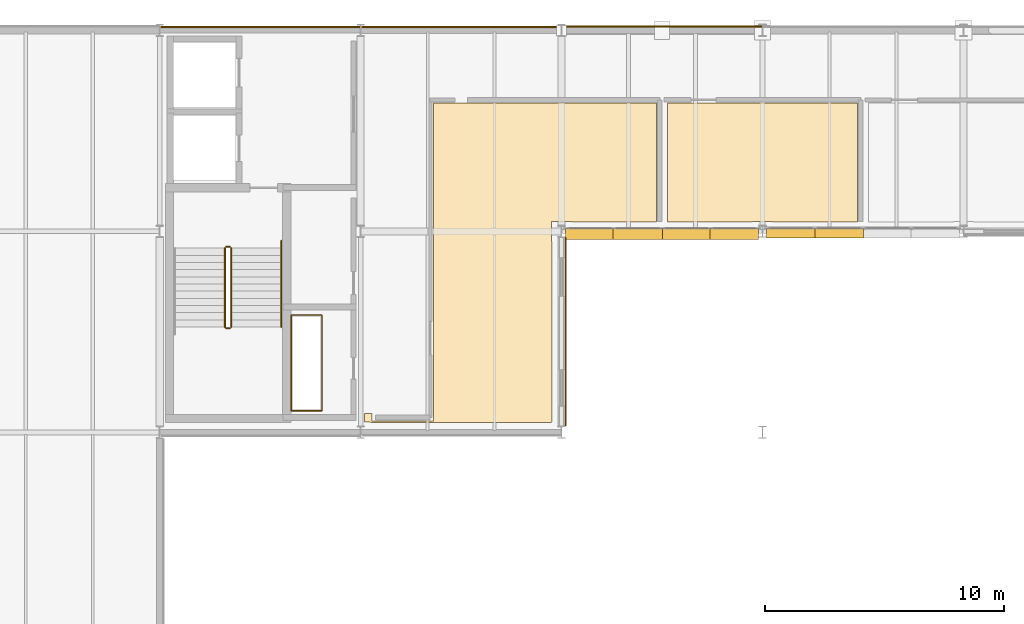
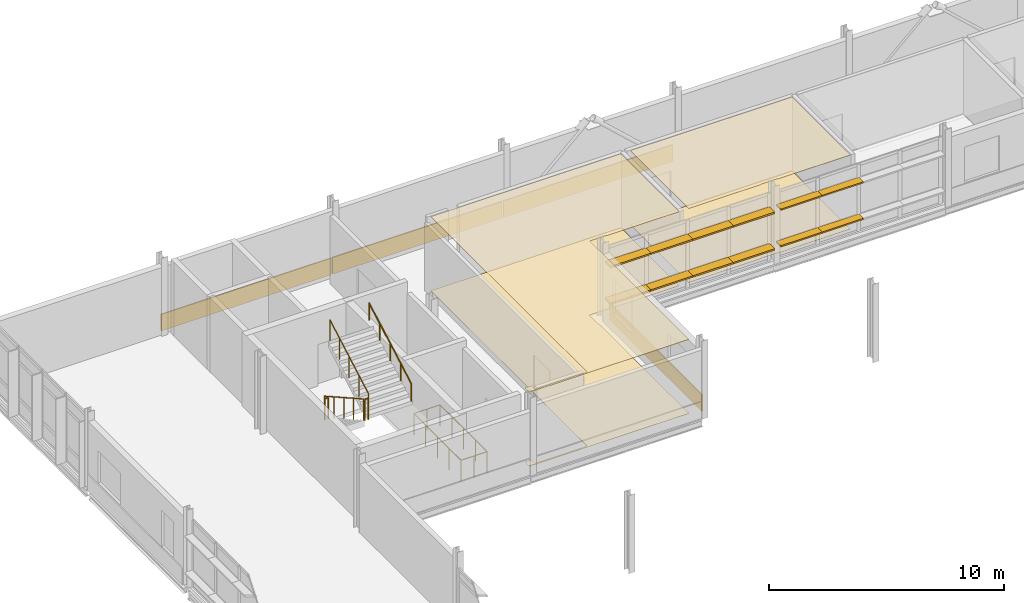
# One storey, part 141 of 151: 12 shading devices, 8 coverings, 6 railings.
"""IFC4 building model written with IfcOpenShell, lengths in metres."""

from ifc_helpers import new_model, si_unit, direction, frame, origin, origin_2d, place, context, subcontext, project, spatial, polyline, rectangle, circle, outline, extrude, material, layer, layer_set, type_object, element, save


model = new_model("IFC4")

# Units and contexts
model_context = context("Model", 3, precision=1e-05, world=origin(), true_north=direction((0.0, 1.0)))
body_context = subcontext(model_context, "Body", "Model", "MODEL_VIEW")
ifc_project = project(units=[si_unit("LENGTHUNIT", "METRE"), si_unit("AREAUNIT", "SQUARE_METRE"), si_unit("VOLUMEUNIT", "CUBIC_METRE"), si_unit("PLANEANGLEUNIT", "RADIAN"), si_unit("MASSUNIT", "GRAM", prefix="KILO")], contexts=[model_context])

# Site, building, storey
site_placement = place(None, origin())
site = spatial("IfcSite", under=ifc_project, at=site_placement, CompositionType="ELEMENT")
building_placement = place(site_placement, origin())
building = spatial("IfcBuilding", under=site, at=building_placement, Name="Mersafa Astral City Hall", CompositionType="ELEMENT")
storey_placement = place(building_placement, frame((0.0, 0.0, 9.89990234375)))
storey = spatial("IfcBuildingStorey", under=building, at=storey_placement, Name="L02", CompositionType="ELEMENT", Elevation=9.89990234375)

# Coverings
ifc_material_1 = material(Name="Cairo Mokattam buff limestone cladding", Category="masonry")
ifc_layer_1 = layer(ifc_material_1, 0.06005859375, Name="Cairo Mokattam buff limestone cladding")
ifc_layer_set_1 = layer_set([ifc_layer_1], Name="Cairo Mokattam buff limestone cladding — ENV-COV-LIMESTONE-60")
covering_type_1 = type_object("IfcCoveringType", Name="ENV-COV-LIMESTONE-60", PredefinedType="CLADDING", material=ifc_layer_set_1)
for number, where, z_axis, x_axis, name in (
    (1, (63.0, 126.154541015625, 0.0), (0.0, 0.0, 1.0), (-1.0, 0.0, 0.0), "L02 Cairo buff limestone rainscreen cladding 188"),
    (2, (54.60009765625, 126.14697265625, 0.0), (0.0, 0.0, 1.0), (-1.0, 0.0, 0.0), "L02 Cairo buff limestone rainscreen cladding 189"),
    (3, (46.199951171875, 126.139404296875, 0.0), (0.0, 0.0, 1.0), (-1.0, 0.0, 0.0), "L02 Cairo buff limestone rainscreen cladding 190"),
):
    element("IfcCovering", number, at=place(storey_placement, frame(where, z_axis=z_axis, x_axis=x_axis)), inside=storey, type_object=covering_type_1, Name=name, PredefinedType="CLADDING", context=body_context, shape_type="SweptSolid", body=[
        extrude(rectangle(XDim=8.323974609375, YDim=0.06005859375, at=origin_2d()), origin(), (0.0, 0.0, 1.0), 0.860107421875),
    ])
covering_1_placement = place(storey_placement, frame((58.97705078125, 113.39990234375, 0.0), z_axis=(0.0, 0.0, 1.0), x_axis=(0.0, 1.0, 0.0)))
element("IfcCovering", 4, at=covering_1_placement, inside=storey, type_object=covering_type_1, Name="L02 Cairo buff limestone rainscreen cladding 203", PredefinedType="CLADDING", context=body_context, shape_type="SweptSolid", body=[
    extrude(rectangle(XDim=7.847900390625, YDim=0.06005859375, at=origin_2d()), origin(), (0.0, 0.0, 1.0), 0.860107421875),
])

# Shading devices
ifc_material_2 = material(Name="Kiln-dried cedar timber brise-soleil blade", Category="wood")
shading_device_type_1 = type_object("IfcShadingDeviceType", Name="ENV-SHD-LOUVRE-380", PredefinedType="JALOUSIE", material=ifc_material_2)
shading_device_1_placement = place(storey_placement, frame((68.386474609375, 117.52001953125, 0.81494140625), z_axis=(0.0, 0.0, 1.0), x_axis=(1.0, 0.0, 0.0)))
element("IfcShadingDevice", 5, at=shading_device_1_placement, inside=storey, type_object=shading_device_type_1, Name="L02 Horizontal cedar brise-soleil louvre 884", PredefinedType="JALOUSIE", context=body_context, shape_type="SweptSolid", body=[
    extrude(rectangle(XDim=2.029052734375, YDim=0.3798828125, at=origin_2d()), origin(), (0.0, 0.0, 1.0), 0.070068359375),
])
shading_device_2_placement = place(storey_placement, frame((70.390380859375, 117.52001953125, 0.81494140625), z_axis=(0.0, 0.0, 1.0), x_axis=(1.0, 0.0, 0.0)))
element("IfcShadingDevice", 6, at=shading_device_2_placement, inside=storey, type_object=shading_device_type_1, Name="L02 Horizontal cedar brise-soleil louvre 885", PredefinedType="JALOUSIE", context=body_context, shape_type="SweptSolid", body=[
    extrude(rectangle(XDim=2.05908203125, YDim=0.3798828125, at=origin_2d()), origin(), (0.0, 0.0, 1.0), 0.070068359375),
])
shading_device_3_placement = place(storey_placement, frame((68.386474609375, 117.52001953125, 2.71484375), z_axis=(0.0, 0.0, 1.0), x_axis=(1.0, 0.0, 0.0)))
element("IfcShadingDevice", 7, at=shading_device_3_placement, inside=storey, type_object=shading_device_type_1, Name="L02 Horizontal cedar brise-soleil louvre 888", PredefinedType="JALOUSIE", context=body_context, shape_type="SweptSolid", body=[
    extrude(rectangle(XDim=2.029052734375, YDim=0.3798828125, at=origin_2d()), origin(), (0.0, 0.0, 1.0), 0.070068359375),
])
shading_device_4_placement = place(storey_placement, frame((70.390380859375, 117.52001953125, 2.71484375), z_axis=(0.0, 0.0, 1.0), x_axis=(1.0, 0.0, 0.0)))
element("IfcShadingDevice", 8, at=shading_device_4_placement, inside=storey, type_object=shading_device_type_1, Name="L02 Horizontal cedar brise-soleil louvre 889", PredefinedType="JALOUSIE", context=body_context, shape_type="SweptSolid", body=[
    extrude(rectangle(XDim=2.05908203125, YDim=0.3798828125, at=origin_2d()), origin(), (0.0, 0.0, 1.0), 0.070068359375),
])
shading_device_type_2 = type_object("IfcShadingDeviceType", Name="ENV-SHD-LOUVRE-450", PredefinedType="JALOUSIE", material=ifc_material_2)
shading_device_5_placement = place(storey_placement, frame((59.986572265625, 117.485107421875, 0.81005859375), z_axis=(0.0, 0.0, 1.0), x_axis=(1.0, 0.0, 0.0)))
element("IfcShadingDevice", 9, at=shading_device_5_placement, inside=storey, type_object=shading_device_type_2, Name="L02 Horizontal cedar brise-soleil louvre 876", PredefinedType="JALOUSIE", context=body_context, shape_type="SweptSolid", body=[
    extrude(rectangle(XDim=2.029052734375, YDim=0.449951171875, at=origin_2d()), origin(), (0.0, 0.0, 1.0), 0.080078125),
])
for number, where, z_axis, x_axis, name in (
    (10, (61.990478515625, 117.485107421875, 0.81005859375), (0.0, 0.0, 1.0), (1.0, 0.0, 0.0), "L02 Horizontal cedar brise-soleil louvre 877"),
    (11, (64.009521484375, 117.485107421875, 0.81005859375), (0.0, 0.0, 1.0), (1.0, 0.0, 0.0), "L02 Horizontal cedar brise-soleil louvre 878"),
):
    element("IfcShadingDevice", number, at=place(storey_placement, frame(where, z_axis=z_axis, x_axis=x_axis)), inside=storey, type_object=shading_device_type_2, Name=name, PredefinedType="JALOUSIE", context=body_context, shape_type="SweptSolid", body=[
        extrude(rectangle(XDim=2.05908203125, YDim=0.449951171875, at=origin_2d()), origin(), (0.0, 0.0, 1.0), 0.080078125),
    ])
for number, where, z_axis, x_axis, name in (
    (12, (66.013427734375, 117.485107421875, 0.81005859375), (0.0, 0.0, 1.0), (1.0, 0.0, 0.0), "L02 Horizontal cedar brise-soleil louvre 879"),
    (13, (59.986572265625, 117.485107421875, 2.7099609375), (0.0, 0.0, 1.0), (1.0, 0.0, 0.0), "L02 Horizontal cedar brise-soleil louvre 880"),
):
    element("IfcShadingDevice", number, at=place(storey_placement, frame(where, z_axis=z_axis, x_axis=x_axis)), inside=storey, type_object=shading_device_type_2, Name=name, PredefinedType="JALOUSIE", context=body_context, shape_type="SweptSolid", body=[
        extrude(rectangle(XDim=2.029052734375, YDim=0.449951171875, at=origin_2d()), origin(), (0.0, 0.0, 1.0), 0.080078125),
    ])
for number, where, z_axis, x_axis, name in (
    (14, (61.990478515625, 117.485107421875, 2.7099609375), (0.0, 0.0, 1.0), (1.0, 0.0, 0.0), "L02 Horizontal cedar brise-soleil louvre 881"),
    (15, (64.009521484375, 117.485107421875, 2.7099609375), (0.0, 0.0, 1.0), (1.0, 0.0, 0.0), "L02 Horizontal cedar brise-soleil louvre 882"),
):
    element("IfcShadingDevice", number, at=place(storey_placement, frame(where, z_axis=z_axis, x_axis=x_axis)), inside=storey, type_object=shading_device_type_2, Name=name, PredefinedType="JALOUSIE", context=body_context, shape_type="SweptSolid", body=[
        extrude(rectangle(XDim=2.05908203125, YDim=0.449951171875, at=origin_2d()), origin(), (0.0, 0.0, 1.0), 0.080078125),
    ])
shading_device_6_placement = place(storey_placement, frame((66.013427734375, 117.485107421875, 2.7099609375), z_axis=(0.0, 0.0, 1.0), x_axis=(1.0, 0.0, 0.0)))
element("IfcShadingDevice", 16, at=shading_device_6_placement, inside=storey, type_object=shading_device_type_2, Name="L02 Horizontal cedar brise-soleil louvre 883", PredefinedType="JALOUSIE", context=body_context, shape_type="SweptSolid", body=[
    extrude(rectangle(XDim=2.029052734375, YDim=0.449951171875, at=origin_2d()), origin(), (0.0, 0.0, 1.0), 0.080078125),
])

# Railings
ifc_material_3 = material(Name="Painted architectural steel stair guard balustrade", Category="steel")
railing_type_1 = type_object("IfcRailingType", Name="GUARD-RAIL", PredefinedType="BALUSTRADE", material=ifc_material_3)
railing_1_placement = place(storey_placement, frame((44.72998046875, 116.89990234375, 0.1689453125)))
element("IfcRailing", 17, at=railing_1_placement, inside=storey, type_object=railing_type_1, Name="L02 ST3 stair guard 1", PredefinedType="BALUSTRADE", context=body_context, shape_type="SweptSolid", body=[
    extrude(circle(Radius=0.02392578125, at=origin_2d()), frame((0.0, 0.0, 1.09619140625), z_axis=(0.0, -0.871568648517, 0.490273485845), x_axis=(1.0, 0.0, 0.0)), (0.0, 0.0, 1.0), 3.7861328125),
    extrude(circle(Radius=0.02099609375, at=origin_2d()), origin(), (0.0, 0.0, 1.0), 1.072021484375),
    extrude(circle(Radius=0.02099609375, at=origin_2d()), frame((0.0, -0.824951171875, 0.464111328125)), (0.0, 0.0, 1.0), 1.072021484375),
    extrude(circle(Radius=0.02099609375, at=origin_2d()), frame((0.0, -1.64990234375, 0.92822265625)), (0.0, 0.0, 1.0), 1.072021484375),
    extrude(circle(Radius=0.02099609375, at=origin_2d()), frame((0.0, -2.474853515625, 1.39208984375)), (0.0, 0.0, 1.0), 1.072021484375),
    extrude(circle(Radius=0.02099609375, at=origin_2d()), frame((0.0, -3.2998046875, 1.856201171875)), (0.0, 0.0, 1.0), 1.072021484375),
])
railing_2_placement = place(storey_placement, frame((44.780029296875, 113.550048828125, 2.025146484375)))
element("IfcRailing", 18, at=railing_2_placement, inside=storey, type_object=railing_type_1, Name="L02 ST3 stair guard 2", PredefinedType="BALUSTRADE", context=body_context, shape_type="SweptSolid", body=[
    extrude(circle(Radius=0.02392578125, at=origin_2d()), frame((0.0, 0.0, 1.09619140625), z_axis=(1.0, 0.0, 0.0), x_axis=(0.0, 1.0, 0.0)), (0.0, 0.0, 1.0), 0.159912109375),
    extrude(circle(Radius=0.02099609375, at=origin_2d()), origin(), (0.0, 0.0, 1.0), 1.072021484375),
    extrude(circle(Radius=0.02099609375, at=origin_2d()), frame((0.159912109375, 0.0, 0.0)), (0.0, 0.0, 1.0), 1.072021484375),
])
railing_3_placement = place(storey_placement, frame((44.989990234375, 113.60009765625, 2.19384765625)))
element("IfcRailing", 19, at=railing_3_placement, inside=storey, type_object=railing_type_1, Name="L02 ST3 stair guard 3", PredefinedType="BALUSTRADE", context=body_context, shape_type="SweptSolid", body=[
    extrude(circle(Radius=0.02392578125, at=origin_2d()), frame((0.0, 0.0, 1.09619140625), z_axis=(0.0, 0.871568648517, 0.490273485845), x_axis=(-1.0, 0.0, 0.0)), (0.0, 0.0, 1.0), 3.7861328125),
    extrude(circle(Radius=0.02099609375, at=origin_2d()), origin(), (0.0, 0.0, 1.0), 1.072021484375),
    extrude(circle(Radius=0.02099609375, at=origin_2d()), frame((0.0, 0.824951171875, 0.464111328125)), (0.0, 0.0, 1.0), 1.072021484375),
    extrude(circle(Radius=0.02099609375, at=origin_2d()), frame((0.0, 1.64990234375, 0.92822265625)), (0.0, 0.0, 1.0), 1.072021484375),
    extrude(circle(Radius=0.02099609375, at=origin_2d()), frame((0.0, 2.474853515625, 1.39208984375)), (0.0, 0.0, 1.0), 1.072021484375),
    extrude(circle(Radius=0.02099609375, at=origin_2d()), frame((0.0, 3.2998046875, 1.856201171875)), (0.0, 0.0, 1.0), 1.072021484375),
])
railing_4_placement = place(storey_placement, frame((44.780029296875, 116.949951171875, 0.0)))
element("IfcRailing", 20, at=railing_4_placement, inside=storey, type_object=railing_type_1, Name="L02 ST3 stair guard 4", PredefinedType="BALUSTRADE", context=body_context, shape_type="SweptSolid", body=[
    extrude(circle(Radius=0.02392578125, at=origin_2d()), frame((0.0, 0.0, 1.09619140625), z_axis=(1.0, 0.0, 0.0), x_axis=(0.0, 1.0, 0.0)), (0.0, 0.0, 1.0), 0.159912109375),
    extrude(circle(Radius=0.02099609375, at=origin_2d()), origin(), (0.0, 0.0, 1.0), 1.072021484375),
    extrude(circle(Radius=0.02099609375, at=origin_2d()), frame((0.159912109375, 0.0, 0.0)), (0.0, 0.0, 1.0), 1.072021484375),
])
railing_5_placement = place(storey_placement, frame((47.5, 110.10009765625, 0.0)))
element("IfcRailing", 21, at=railing_5_placement, inside=storey, type_object=railing_type_1, Name="L02 K3 MEP Riser Shaft Guard", PredefinedType="BALUSTRADE", context=body_context, shape_type="SweptSolid", body=[
    extrude(circle(Radius=0.02392578125, at=origin_2d()), frame((0.0, 0.0, 1.09619140625), z_axis=(1.0, 0.0, 0.0), x_axis=(0.0, 1.0, 0.0)), (0.0, 0.0, 1.0), 1.280029296875),
    extrude(circle(Radius=0.02392578125, at=origin_2d()), frame((1.280029296875, 0.0, 1.09619140625), z_axis=(0.0, 1.0, 0.0), x_axis=(-1.0, 0.0, 0.0)), (0.0, 0.0, 1.0), 4.0),
    extrude(circle(Radius=0.02392578125, at=origin_2d()), frame((1.280029296875, 4.0, 1.09619140625), z_axis=(-1.0, 0.0, 0.0), x_axis=(0.0, -1.0, 0.0)), (0.0, 0.0, 1.0), 1.280029296875),
    extrude(circle(Radius=0.02392578125, at=origin_2d()), frame((0.0, 4.0, 1.09619140625), z_axis=(0.0, -1.0, 0.0), x_axis=(1.0, 0.0, 0.0)), (0.0, 0.0, 1.0), 4.0),
    extrude(circle(Radius=0.02099609375, at=origin_2d()), origin(), (0.0, 0.0, 1.0), 1.072021484375),
    extrude(circle(Radius=0.02099609375, at=origin_2d()), frame((0.64013671875, 0.0, 0.0)), (0.0, 0.0, 1.0), 1.072021484375),
    extrude(circle(Radius=0.02099609375, at=origin_2d()), frame((1.280029296875, 0.0, 0.0)), (0.0, 0.0, 1.0), 1.072021484375),
    extrude(circle(Radius=0.02099609375, at=origin_2d()), frame((1.280029296875, 1.0, 0.0)), (0.0, 0.0, 1.0), 1.072021484375),
    extrude(circle(Radius=0.02099609375, at=origin_2d()), frame((1.280029296875, 2.0, 0.0)), (0.0, 0.0, 1.0), 1.072021484375),
    extrude(circle(Radius=0.02099609375, at=origin_2d()), frame((1.280029296875, 3.0, 0.0)), (0.0, 0.0, 1.0), 1.072021484375),
    extrude(circle(Radius=0.02099609375, at=origin_2d()), frame((1.280029296875, 4.0, 0.0)), (0.0, 0.0, 1.0), 1.072021484375),
    extrude(circle(Radius=0.02099609375, at=origin_2d()), frame((0.64013671875, 4.0, 0.0)), (0.0, 0.0, 1.0), 1.072021484375),
    extrude(circle(Radius=0.02099609375, at=origin_2d()), frame((0.0, 4.0, 0.0)), (0.0, 0.0, 1.0), 1.072021484375),
    extrude(circle(Radius=0.02099609375, at=origin_2d()), frame((0.0, 3.0, 0.0)), (0.0, 0.0, 1.0), 1.072021484375),
    extrude(circle(Radius=0.02099609375, at=origin_2d()), frame((0.0, 2.0, 0.0)), (0.0, 0.0, 1.0), 1.072021484375),
    extrude(circle(Radius=0.02099609375, at=origin_2d()), frame((0.0, 1.0, 0.0)), (0.0, 0.0, 1.0), 1.072021484375),
])
ifc_material_4 = material(Name="Brushed stainless steel tubular handrail", Category="steel")
railing_type_2 = type_object("IfcRailingType", Name="HANDRAIL", PredefinedType="HANDRAIL", material=ifc_material_4)
railing_6_placement = place(storey_placement, frame((47.090087890625, 113.60009765625, 2.19384765625)))
element("IfcRailing", 22, at=railing_6_placement, inside=storey, type_object=railing_type_2, Name="L02 ST3 stair handrail 2", PredefinedType="HANDRAIL", context=body_context, shape_type="SweptSolid", body=[
    extrude(circle(Radius=0.02392578125, at=origin_2d()), frame((0.0, 0.0, 0.8759765625), z_axis=(0.0, 0.871248695433, 0.49084183879), x_axis=(-1.0, 0.0, 0.0)), (0.0, 0.0, 1.0), 4.1318359375),
    extrude(circle(Radius=0.02099609375, at=origin_2d()), origin(), (0.0, 0.0, 1.0), 0.851806640625),
    extrude(circle(Radius=0.02099609375, at=origin_2d()), frame((0.0, 0.89990234375, 0.507080078125)), (0.0, 0.0, 1.0), 0.851806640625),
    extrude(circle(Radius=0.02099609375, at=origin_2d()), frame((0.0, 1.7998046875, 1.01416015625)), (0.0, 0.0, 1.0), 0.851806640625),
    extrude(circle(Radius=0.02099609375, at=origin_2d()), frame((0.0, 2.699951171875, 1.52099609375)), (0.0, 0.0, 1.0), 0.851806640625),
    extrude(circle(Radius=0.02099609375, at=origin_2d()), frame((0.0, 3.599853515625, 2.028076171875)), (0.0, 0.0, 1.0), 0.851806640625),
])

# Coverings
ifc_material_5 = material(Name="Perforated acoustic gypsum board ceiling", Category="gypsum")
ifc_layer_2 = layer(ifc_material_5, 0.02490234375, Name="Perforated acoustic gypsum board ceiling")
ifc_layer_set_2 = layer_set([ifc_layer_2], Name="Perforated acoustic gypsum board ceiling — INT-COV-CEIL-25")
covering_type_2 = type_object("IfcCoveringType", Name="INT-COV-CEIL-25", PredefinedType="CEILING", material=ifc_layer_set_2)
covering_2_placement = place(storey_placement, frame((0.0, 0.0, 3.8310546875)))
element("IfcCovering", 23, at=covering_2_placement, inside=storey, type_object=covering_type_2, Name="L02 Standing Committee Room L02-12 acoustic ceiling", PredefinedType="CEILING", context=body_context, shape_type="SweptSolid", body=[
    extrude(outline(polyline([(50.820068359375, 109.6201171875), (50.56005859375, 109.6201171875), (50.56005859375, 109.97998046875), (50.8798828125, 109.97998046875), (50.8798828125, 109.679931640625), (53.43994140625, 109.679931640625), (53.43994140625, 122.9599609375), (62.77001953125, 122.9599609375), (62.77001953125, 118.0), (59.219970703125, 118.0), (59.219970703125, 118.02001953125), (58.3798828125, 118.02001953125), (58.3798828125, 117.179931640625), (58.39990234375, 117.179931640625), (58.39990234375, 109.6201171875), (58.3798828125, 109.6201171875), (58.3798828125, 109.60009765625), (50.820068359375, 109.60009765625), (50.820068359375, 109.6201171875)])), origin(), (0.0, 0.0, 1.0), 0.025146484375),
])
covering_3_placement = place(storey_placement, frame((0.0, 0.0, 3.8310546875)))
element("IfcCovering", 24, at=covering_3_placement, inside=storey, type_object=covering_type_2, Name="L02 GIS & Cadastre Mapping Laboratory L02-17 acoustic ceiling", PredefinedType="CEILING", context=body_context, shape_type="SweptSolid", body=[
    extrude(outline(polyline([(71.169921875, 122.9599609375), (71.169921875, 118.0), (67.6201171875, 118.0), (67.6201171875, 118.02001953125), (66.780029296875, 118.02001953125), (66.780029296875, 118.0), (63.22998046875, 118.0), (63.22998046875, 122.9599609375), (71.169921875, 122.9599609375)])), origin(), (0.0, 0.0, 1.0), 0.025146484375),
])
ifc_material_6 = material(Name="Heavy-duty woven acoustic carpet tile", Category="finish")
ifc_layer_3 = layer(ifc_material_6, 0.014892578125, Name="Heavy-duty woven acoustic carpet tile")
ifc_layer_set_3 = layer_set([ifc_layer_3], Name="Heavy-duty woven acoustic carpet tile — INT-COV-FLR-15")
covering_type_3 = type_object("IfcCoveringType", Name="INT-COV-FLR-15", PredefinedType="FLOORING", material=ifc_layer_set_3)
covering_4_placement = place(storey_placement, frame((0.0, 0.0, -0.00146484375)))
element("IfcCovering", 25, at=covering_4_placement, inside=storey, type_object=covering_type_3, Name="L02 Standing Committee Room L02-12 architectural flooring", PredefinedType="FLOORING", context=body_context, shape_type="SweptSolid", body=[
    extrude(outline(polyline([(50.820068359375, 109.6201171875), (50.56005859375, 109.6201171875), (50.56005859375, 109.97998046875), (50.8798828125, 109.97998046875), (50.8798828125, 109.679931640625), (53.43994140625, 109.679931640625), (53.43994140625, 122.9599609375), (62.77001953125, 122.9599609375), (62.77001953125, 118.0), (59.219970703125, 118.0), (59.219970703125, 118.02001953125), (58.3798828125, 118.02001953125), (58.3798828125, 117.179931640625), (58.39990234375, 117.179931640625), (58.39990234375, 109.6201171875), (58.3798828125, 109.6201171875), (58.3798828125, 109.60009765625), (50.820068359375, 109.60009765625), (50.820068359375, 109.6201171875)])), origin(), (0.0, 0.0, 1.0), 0.014892578125),
])
covering_5_placement = place(storey_placement, frame((0.0, 0.0, -0.00146484375)))
element("IfcCovering", 26, at=covering_5_placement, inside=storey, type_object=covering_type_3, Name="L02 GIS & Cadastre Mapping Laboratory L02-17 architectural flooring", PredefinedType="FLOORING", context=body_context, shape_type="SweptSolid", body=[
    extrude(outline(polyline([(71.169921875, 122.9599609375), (71.169921875, 118.0), (67.6201171875, 118.0), (67.6201171875, 118.02001953125), (66.780029296875, 118.02001953125), (66.780029296875, 118.0), (63.22998046875, 118.0), (63.22998046875, 122.9599609375), (71.169921875, 122.9599609375)])), origin(), (0.0, 0.0, 1.0), 0.014892578125),
])

save(model, "model.ifc")
